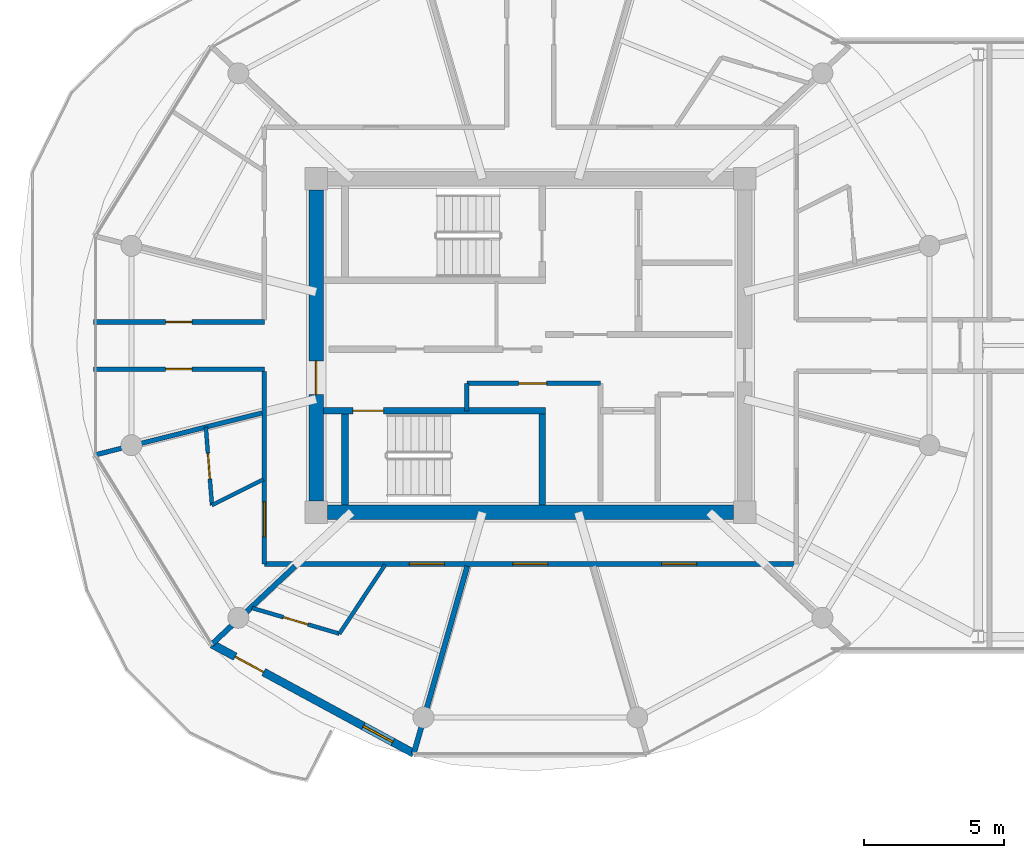
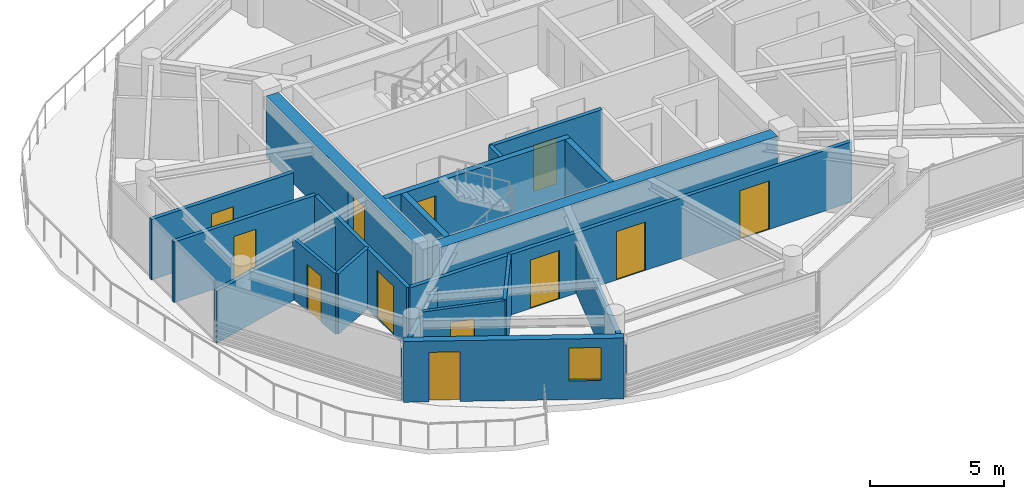
# One storey, part 14 of 24: 19 walls, 12 doors, 1 window, 13 openings.
"""IFC4 building model written with IfcOpenShell, lengths in metres."""

from ifc_helpers import new_model, si_unit, direction, frame, frame_2d, origin, place, context, subcontext, project, spatial, rectangle, extrude, source, transform, mapped, material, layer, layer_set, type_object, type_shapes, element, fill, save


model = new_model("IFC4")

# Units and contexts
model_context = context("Model", 3, precision=1e-05, world=origin(), true_north=direction((0.0, 1.0)))
body_context = subcontext(model_context, "Body", "Model", "MODEL_VIEW")
ifc_project = project(units=[si_unit("LENGTHUNIT", "METRE"), si_unit("AREAUNIT", "SQUARE_METRE"), si_unit("VOLUMEUNIT", "CUBIC_METRE"), si_unit("PLANEANGLEUNIT", "RADIAN"), si_unit("MASSUNIT", "GRAM", prefix="KILO")], contexts=[model_context])

# Site, building, storey
site_placement = place(None, origin())
site = spatial("IfcSite", under=ifc_project, at=site_placement, CompositionType="ELEMENT")
building_placement = place(site_placement, origin())
building = spatial("IfcBuilding", under=site, at=building_placement, Name="Norrkilde Senior Care Towers", CompositionType="ELEMENT")
storey_placement = place(building_placement, frame((0.0, 0.0, 213.89990234375)))
storey = spatial("IfcBuildingStorey", under=building, at=storey_placement, Name="L66", CompositionType="ELEMENT", Elevation=213.89990234375)

# Wall
ifc_material_1 = material(Name="Concrete C50/60", Category="concrete")
ifc_layer_1 = layer(ifc_material_1, 0.52001953125)
ifc_layer_set_1 = layer_set([ifc_layer_1], Name="Concrete C50/60")
wall_type_1 = type_object("IfcWallType", Name="Core Shear Wall Z4 520", PredefinedType="SHEAR", material=ifc_layer_set_1)
shared_shape_1 = source(origin(), body_context, "Body", "SweptSolid", [
    extrude(rectangle(XDim=14.5, YDim=0.52001953125, at=frame_2d((7.25, 0.0))), origin(), (0.0, 0.0, 1.0), 2.760009765625),
])
wall_1_placement = place(storey_placement, frame((-20.75, -5.949951171875, 0.0), z_axis=(0.0, 0.0, 1.0), x_axis=(-1.0, 0.0, 0.0)))
element("IfcWall", 1, at=wall_1_placement, inside=storey, type_object=wall_type_1, Name="L66 Core W South Shear Wall", PredefinedType="SHEAR", context=body_context, shape_type="MappedRepresentation", body=[
    mapped(shared_shape_1, transform((0.0, 0.0, 0.0), x_axis=(1.0, 0.0, 0.0), y_axis=(0.0, 1.0, 0.0), z_axis=(0.0, 0.0, 1.0), scale=1.0)),
])

# Wall, opening, door
shared_shape_2 = source(origin(), body_context, "Body", "SweptSolid", [
    extrude(rectangle(XDim=11.10009765625, YDim=0.52001953125, at=frame_2d((5.550048828125, 0.0))), origin(), (0.0, 0.0, 1.0), 2.760009765625),
])
type_shapes(wall_type_1, [shared_shape_1, shared_shape_2])
wall_2_placement = place(storey_placement, frame((-35.64990234375, -5.550048828125, 0.0), z_axis=(0.0, 0.0, 1.0), x_axis=(0.0, 1.0, 0.0)))
wall_2 = element("IfcWall", 2, at=wall_2_placement, inside=storey, type_object=wall_type_1, Name="L66 Core W West Shear Wall", PredefinedType="SHEAR", context=body_context, shape_type="MappedRepresentation", body=[
    mapped(shared_shape_2, transform((0.0, 0.0, 0.0), x_axis=(1.0, 0.0, 0.0), y_axis=(0.0, 1.0, 0.0), z_axis=(0.0, 0.0, 1.0), scale=1.0)),
])
opening_1_placement = place(wall_2_placement, frame((3.800048828125, 0.0, 0.0)))
opening_1 = element("IfcOpeningElement", 3, at=opening_1_placement, cuts=wall_2, Name="Opening D-04", PredefinedType="OPENING", context=body_context, shape_type="SweptSolid", body=[
    extrude(rectangle(XDim=1.199951171875, YDim=2.14990234375, at=frame_2d((0.60009765625, 1.074951171875))), frame((0.0, 0.27001953125, 0.0), z_axis=(0.0, -1.0, 0.0), x_axis=(1.0, 0.0, 0.0)), (0.0, 0.0, 1.0), 0.5400390625),
])
ifc_material_2 = material(Name="Galvanised Painted Steel", Category="steel")
door_type_1 = type_object("IfcDoorType", Name="Firefighting Lobby Fire Door 1200x2150", OperationType="NOTDEFINED", PredefinedType="DOOR", material=ifc_material_2)
shared_shape_3 = source(origin(), body_context, "Body", "SweptSolid", [
    extrude(rectangle(XDim=1.199951171875, YDim=2.14990234375, at=frame_2d((0.60009765625, 1.074951171875))), frame((0.0, 0.02490234375, 0.0), z_axis=(0.0, -1.0, 0.0), x_axis=(1.0, 0.0, 0.0)), (0.0, 0.0, 1.0), 0.050048828125),
])
type_shapes(door_type_1, [shared_shape_3])
door_1_placement = place(opening_1_placement, frame((1.199951171875, 0.0, 0.0), z_axis=(0.0, 0.0, 1.0), x_axis=(-1.0, 0.0, 0.0)))
door_1 = element("IfcDoor", 4, at=door_1_placement, inside=storey, type_object=door_type_1, Name="L66 Core W West Portal Door", OperationType="SINGLE_SWING_LEFT", OverallHeight=2.14990234375, OverallWidth=1.199951171875, PredefinedType="DOOR", context=body_context, shape_type="MappedRepresentation", body=[
    mapped(shared_shape_3, transform((0.0, 0.0, 0.0), x_axis=(1.0, 0.0, 0.0), y_axis=(0.0, 1.0, 0.0), z_axis=(0.0, 0.0, 1.0), scale=1.0)),
])
fill(opening_1, door_1)

# Wall, openings, door, window
ifc_material_3 = material(Name="Precast concrete C45/55", Category="concrete")
ifc_layer_2 = layer(ifc_material_3, 0.2900390625)
ifc_layer_set_2 = layer_set([ifc_layer_2], Name="Precast concrete C45/55")
wall_type_2 = type_object("IfcWallType", Name="Winter Garden Facade Wall 290", PredefinedType="SOLIDWALL", material=ifc_layer_set_2)
shared_shape_4 = source(origin(), body_context, "Body", "SweptSolid", [
    extrude(rectangle(XDim=8.197265625, YDim=0.2900390625, at=frame_2d((4.0986328125, 0.0))), origin(), (0.0, 0.0, 1.0), 2.760009765625),
])
type_shapes(wall_type_2, [shared_shape_4])
wall_3_placement = place(storey_placement, frame((-32.161865234375, -14.566162109375, 0.0), z_axis=(0.0, 0.0, 1.0), x_axis=(-0.879369910001, 0.476139224791, 0.0)))
wall_3 = element("IfcWall", 5, at=wall_3_placement, inside=storey, type_object=wall_type_2, Name="L66 Drum W Balcony Access Wall 07", PredefinedType="SOLIDWALL", context=body_context, shape_type="MappedRepresentation", body=[
    mapped(shared_shape_4, transform((0.0, 0.0, 0.0), x_axis=(1.0, 0.0, 0.0), y_axis=(0.0, 1.0, 0.0), z_axis=(0.0, 0.0, 1.0), scale=1.0)),
])
opening_2_placement = place(wall_3_placement, frame((6.10009765625, 0.0, 0.0)))
opening_2 = element("IfcOpeningElement", 6, at=opening_2_placement, cuts=wall_3, Name="Opening D-09", PredefinedType="OPENING", context=body_context, shape_type="SweptSolid", body=[
    extrude(rectangle(XDim=1.14990234375, YDim=2.25, at=frame_2d((0.574951171875, 1.125))), frame((0.0, 0.155029296875, 0.0), z_axis=(0.0, -1.0, 0.0), x_axis=(1.0, 0.0, 0.0)), (0.0, 0.0, 1.0), 0.31005859375),
])
opening_3_placement = place(wall_3_placement, frame((0.85009765625, 0.0, 0.85009765625)))
opening_3 = element("IfcOpeningElement", 7, at=opening_3_placement, cuts=wall_3, Name="Opening WN-07", PredefinedType="OPENING", context=body_context, shape_type="SweptSolid", body=[
    extrude(rectangle(XDim=1.199951171875, YDim=1.5, at=frame_2d((0.60009765625, 0.75))), frame((0.0, 0.155029296875, 0.0), z_axis=(0.0, -1.0, 0.0), x_axis=(1.0, 0.0, 0.0)), (0.0, 0.0, 1.0), 0.31005859375),
])
ifc_material_4 = material(Name="Anodised Aluminium", Category="aluminium")
door_type_2 = type_object("IfcDoorType", Name="Terrace and Balcony Glazed Door 1150x2250", OperationType="NOTDEFINED", PredefinedType="DOOR", material=ifc_material_4)
shared_shape_5 = source(origin(), body_context, "Body", "SweptSolid", [
    extrude(rectangle(XDim=1.14990234375, YDim=2.25, at=frame_2d((0.574951171875, 1.125))), frame((0.0, 0.02490234375, 0.0), z_axis=(0.0, -1.0, 0.0), x_axis=(1.0, 0.0, 0.0)), (0.0, 0.0, 1.0), 0.050048828125),
])
type_shapes(door_type_2, [shared_shape_5])
door_2_placement = place(opening_2_placement, origin())
door_2 = element("IfcDoor", 8, at=door_2_placement, inside=storey, type_object=door_type_2, Name="L66 Drum W Outdoor Terrace Door 07", OperationType="SINGLE_SWING_RIGHT", OverallHeight=2.25, OverallWidth=1.14990234375, PredefinedType="DOOR", context=body_context, shape_type="MappedRepresentation", body=[
    mapped(shared_shape_5, transform((0.0, 0.0, 0.0), x_axis=(1.0, 0.0, 0.0), y_axis=(0.0, 1.0, 0.0), z_axis=(0.0, 0.0, 1.0), scale=1.0)),
])
fill(opening_2, door_2)
ifc_material_5 = material(Name="Triple Low-E Insulated Glazing", Category="glass")
window_type = type_object("IfcWindowType", Name="Stairwell Smoke Vent Window 1200x1500", PartitioningType="SINGLE_PANEL", PredefinedType="WINDOW", material=ifc_material_5)
shared_shape_6 = source(origin(), body_context, "Body", "SweptSolid", [
    extrude(rectangle(XDim=1.199951171875, YDim=1.5, at=frame_2d((0.60009765625, 0.75))), frame((0.0, 0.030029296875, 0.0), z_axis=(0.0, -1.0, 0.0), x_axis=(1.0, 0.0, 0.0)), (0.0, 0.0, 1.0), 0.06005859375),
])
type_shapes(window_type, [shared_shape_6])
window_placement = place(opening_3_placement, origin())
window = element("IfcWindow", 9, at=window_placement, inside=storey, type_object=window_type, Name="L66 Drum W Winter Garden Window 07", OverallHeight=1.5, OverallWidth=1.199951171875, PartitioningType="SINGLE_PANEL", PredefinedType="WINDOW", context=body_context, shape_type="MappedRepresentation", body=[
    mapped(shared_shape_6, transform((0.0, 0.0, 0.0), x_axis=(1.0, 0.0, 0.0), y_axis=(0.0, 1.0, 0.0), z_axis=(0.0, 0.0, 1.0), scale=1.0)),
])
fill(opening_3, window)

# Wall, opening, door
ifc_material_6 = material(Name="Concrete C45/55", Category="concrete")
ifc_layer_3 = layer(ifc_material_6, 0.239990234375)
ifc_layer_set_3 = layer_set([ifc_layer_3], Name="Concrete C45/55")
wall_type_3 = type_object("IfcWallType", Name="Shaft and Stair Enclosure Wall 240", PredefinedType="PARTITIONING", material=ifc_layer_set_3)
shared_shape_7 = source(origin(), body_context, "Body", "SweptSolid", [
    extrude(rectangle(XDim=7.929931640625, YDim=0.239990234375, at=frame_2d((3.96484375, 0.0))), origin(), (0.0, 0.0, 1.0), 2.760009765625),
])
wall_4_placement = place(storey_placement, frame((-35.389892578125, -2.330078125, 0.0), z_axis=(0.0, 0.0, 1.0), x_axis=(1.0, 0.0, 0.0)))
wall_4 = element("IfcWall", 10, at=wall_4_placement, inside=storey, type_object=wall_type_3, Name="WL-INT-L66-W-ST2N", PredefinedType="PARTITIONING", context=body_context, shape_type="MappedRepresentation", body=[
    mapped(shared_shape_7, transform((0.0, 0.0, 0.0), x_axis=(1.0, 0.0, 0.0), y_axis=(0.0, 1.0, 0.0), z_axis=(0.0, 0.0, 1.0), scale=1.0)),
])
opening_4_placement = place(wall_4_placement, frame((1.050048828125, 0.0, 0.0)))
opening_4 = element("IfcOpeningElement", 11, at=opening_4_placement, cuts=wall_4, Name="Opening D-03", PredefinedType="OPENING", context=body_context, shape_type="SweptSolid", body=[
    extrude(rectangle(XDim=1.10009765625, YDim=2.14990234375, at=frame_2d((0.550048828125, 1.074951171875))), frame((0.0, 0.1298828125, 0.0), z_axis=(0.0, -1.0, 0.0), x_axis=(1.0, 0.0, 0.0)), (0.0, 0.0, 1.0), 0.260009765625),
])
door_type_3 = type_object("IfcDoorType", Name="Stairwell Protected Fire Door 1100x2150", OperationType="NOTDEFINED", PredefinedType="DOOR", material=ifc_material_2)
shared_shape_8 = source(origin(), body_context, "Body", "SweptSolid", [
    extrude(rectangle(XDim=1.10009765625, YDim=2.14990234375, at=frame_2d((0.550048828125, 1.074951171875))), frame((0.0, 0.02490234375, 0.0), z_axis=(0.0, -1.0, 0.0), x_axis=(1.0, 0.0, 0.0)), (0.0, 0.0, 1.0), 0.050048828125),
])
type_shapes(door_type_3, [shared_shape_8])
door_3_placement = place(opening_4_placement, frame((1.10009765625, 0.0, 0.0), z_axis=(0.0, 0.0, 1.0), x_axis=(-1.0, 0.0, 0.0)))
door_3 = element("IfcDoor", 12, at=door_3_placement, inside=storey, type_object=door_type_3, Name="L66 Stair W2 Fire Door", OperationType="SINGLE_SWING_RIGHT", OverallHeight=2.14990234375, OverallWidth=1.10009765625, PredefinedType="DOOR", context=body_context, shape_type="MappedRepresentation", body=[
    mapped(shared_shape_8, transform((0.0, 0.0, 0.0), x_axis=(1.0, 0.0, 0.0), y_axis=(0.0, 1.0, 0.0), z_axis=(0.0, 0.0, 1.0), scale=1.0)),
])
fill(opening_4, door_3)

# Walls
shared_shape_9 = source(origin(), body_context, "Body", "SweptSolid", [
    extrude(rectangle(XDim=3.239990234375, YDim=0.239990234375, at=frame_2d((1.6201171875, 0.0))), origin(), (0.0, 0.0, 1.0), 2.760009765625),
])
type_shapes(wall_type_3, [shared_shape_7, shared_shape_9])
for number, where, z_axis, x_axis, name in (
    (13, (-34.6201171875, -5.68994140625, 0.0), (0.0, 0.0, 1.0), (0.0, 1.0, 0.0), "WL-INT-L66-W-ST2W"),
    (14, (-27.580078125, -5.68994140625, 0.0), (0.0, 0.0, 1.0), (0.0, 1.0, 0.0), "WL-INT-L66-W-ST2E"),
):
    element("IfcWall", number, at=place(storey_placement, frame(where, z_axis=z_axis, x_axis=x_axis)), inside=storey, type_object=wall_type_3, Name=name, PredefinedType="PARTITIONING", context=body_context, shape_type="MappedRepresentation", body=[
        mapped(shared_shape_9, transform((0.0, 0.0, 0.0), x_axis=(1.0, 0.0, 0.0), y_axis=(0.0, 1.0, 0.0), z_axis=(0.0, 0.0, 1.0), scale=1.0)),
    ])

# Wall, opening, door
ifc_material_7 = material(Name="Gypsum Acoustic Board")
ifc_layer_4 = layer(ifc_material_7, 0.1650390625)
ifc_layer_set_4 = layer_set([ifc_layer_4], Name="Gypsum Acoustic Board")
wall_type_4 = type_object("IfcWallType", Name="Corridor Rated Partition 165", PredefinedType="PARTITIONING", material=ifc_layer_set_4)
shared_shape_10 = source(origin(), body_context, "Body", "SweptSolid", [
    extrude(rectangle(XDim=4.77001953125, YDim=0.1650390625, at=frame_2d((2.385009765625, 0.0))), origin(), (0.0, 0.0, 1.0), 2.7451171875),
])
wall_5_placement = place(storey_placement, frame((-30.27001953125, -1.35009765625, 0.0), z_axis=(0.0, 0.0, 1.0), x_axis=(1.0, 0.0, 0.0)))
wall_5 = element("IfcWall", 15, at=wall_5_placement, inside=storey, type_object=wall_type_4, Name="WL-INT-L66-W-FR2N", PredefinedType="PARTITIONING", context=body_context, shape_type="MappedRepresentation", body=[
    mapped(shared_shape_10, transform((0.0, 0.0, 0.0), x_axis=(1.0, 0.0, 0.0), y_axis=(0.0, 1.0, 0.0), z_axis=(0.0, 0.0, 1.0), scale=1.0)),
])
opening_5_placement = place(wall_5_placement, frame((1.85009765625, 0.0, 0.0)))
opening_5 = element("IfcOpeningElement", 16, at=opening_5_placement, cuts=wall_5, Name="Opening D-10", PredefinedType="OPENING", context=body_context, shape_type="SweptSolid", body=[
    extrude(rectangle(XDim=1.0, YDim=2.10009765625, at=frame_2d((0.5, 1.050048828125))), frame((0.0, 0.092529296875, 0.0), z_axis=(0.0, -1.0, 0.0), x_axis=(1.0, 0.0, 0.0)), (0.0, 0.0, 1.0), 0.18505859375),
])
door_type_4 = type_object("IfcDoorType", Name="Plant and Riser Rated Door 1000x2100", OperationType="NOTDEFINED", PredefinedType="DOOR", material=ifc_material_2)
shared_shape_11 = source(origin(), body_context, "Body", "SweptSolid", [
    extrude(rectangle(XDim=1.0, YDim=2.10009765625, at=frame_2d((0.5, 1.050048828125))), frame((0.0, 0.02490234375, 0.0), z_axis=(0.0, -1.0, 0.0), x_axis=(1.0, 0.0, 0.0)), (0.0, 0.0, 1.0), 0.050048828125),
])
type_shapes(door_type_4, [shared_shape_11])
door_4_placement = place(opening_5_placement, origin())
door_4 = element("IfcDoor", 17, at=door_4_placement, inside=storey, type_object=door_type_4, Name="L66 Core Pantry W Door", OperationType="SINGLE_SWING_RIGHT", OverallHeight=2.10009765625, OverallWidth=1.0, PredefinedType="DOOR", context=body_context, shape_type="MappedRepresentation", body=[
    mapped(shared_shape_11, transform((0.0, 0.0, 0.0), x_axis=(1.0, 0.0, 0.0), y_axis=(0.0, 1.0, 0.0), z_axis=(0.0, 0.0, 1.0), scale=1.0)),
])
fill(opening_5, door_4)

# Wall
shared_shape_12 = source(origin(), body_context, "Body", "SweptSolid", [
    extrude(rectangle(XDim=0.97998046875, YDim=0.1650390625, at=frame_2d((0.489990234375, 0.0))), origin(), (0.0, 0.0, 1.0), 2.7451171875),
])
wall_6_placement = place(storey_placement, frame((-30.27001953125, -2.330078125, 0.0), z_axis=(0.0, 0.0, 1.0), x_axis=(0.0, 1.0, 0.0)))
element("IfcWall", 18, at=wall_6_placement, inside=storey, type_object=wall_type_4, Name="WL-INT-L66-W-FR2W", PredefinedType="PARTITIONING", context=body_context, shape_type="MappedRepresentation", body=[
    mapped(shared_shape_12, transform((0.0, 0.0, 0.0), x_axis=(1.0, 0.0, 0.0), y_axis=(0.0, 1.0, 0.0), z_axis=(0.0, 0.0, 1.0), scale=1.0)),
])

# Wall, openings, doors
shared_shape_13 = source(origin(), body_context, "Body", "SweptSolid", [
    extrude(rectangle(XDim=19.0, YDim=0.1650390625, at=frame_2d((9.5, 0.0))), origin(), (0.0, 0.0, 1.0), 2.7451171875),
])
wall_7_placement = place(storey_placement, frame((-18.5, -7.800048828125, 0.0), z_axis=(0.0, 0.0, 1.0), x_axis=(-1.0, 0.0, 0.0)))
wall_7 = element("IfcWall", 19, at=wall_7_placement, inside=storey, type_object=wall_type_4, Name="WL-INT-L66-W-CRW-S-0", PredefinedType="PARTITIONING", context=body_context, shape_type="MappedRepresentation", body=[
    mapped(shared_shape_13, transform((0.0, 0.0, 0.0), x_axis=(1.0, 0.0, 0.0), y_axis=(0.0, 1.0, 0.0), z_axis=(0.0, 0.0, 1.0), scale=1.0)),
])
opening_6_placement = place(wall_7_placement, frame((12.56884765625, 0.0, 0.0)))
opening_6 = element("IfcOpeningElement", 20, at=opening_6_placement, cuts=wall_7, Name="Opening D-05", PredefinedType="OPENING", context=body_context, shape_type="SweptSolid", body=[
    extrude(rectangle(XDim=1.25, YDim=2.199951171875, at=frame_2d((0.625, 1.10009765625))), frame((0.0, 0.092529296875, 0.0), z_axis=(0.0, -1.0, 0.0), x_axis=(1.0, 0.0, 0.0)), (0.0, 0.0, 1.0), 0.18505859375),
])
opening_7_placement = place(wall_7_placement, frame((8.875, 0.0, 0.0)))
opening_7 = element("IfcOpeningElement", 21, at=opening_7_placement, cuts=wall_7, Name="Opening D-05", PredefinedType="OPENING", context=body_context, shape_type="SweptSolid", body=[
    extrude(rectangle(XDim=1.25, YDim=2.199951171875, at=frame_2d((0.625, 1.10009765625))), frame((0.0, 0.092529296875, 0.0), z_axis=(0.0, -1.0, 0.0), x_axis=(1.0, 0.0, 0.0)), (0.0, 0.0, 1.0), 0.18505859375),
])
opening_8_placement = place(wall_7_placement, frame((3.55859375, 0.0, 0.0)))
opening_8 = element("IfcOpeningElement", 22, at=opening_8_placement, cuts=wall_7, Name="Opening D-05", PredefinedType="OPENING", context=body_context, shape_type="SweptSolid", body=[
    extrude(rectangle(XDim=1.25, YDim=2.199951171875, at=frame_2d((0.625, 1.10009765625))), frame((0.0, 0.092529296875, 0.0), z_axis=(0.0, -1.0, 0.0), x_axis=(1.0, 0.0, 0.0)), (0.0, 0.0, 1.0), 0.18505859375),
])
ifc_material_8 = material(Name="Nordic Ash Timber", Category="wood")
door_type_5 = type_object("IfcDoorType", Name="Care Bedroom Bariatric Door 1250x2200", OperationType="NOTDEFINED", PredefinedType="DOOR", material=ifc_material_8)
shared_shape_14 = source(origin(), body_context, "Body", "SweptSolid", [
    extrude(rectangle(XDim=1.25, YDim=2.199951171875, at=frame_2d((0.625, 1.10009765625))), frame((0.0, 0.02490234375, 0.0), z_axis=(0.0, -1.0, 0.0), x_axis=(1.0, 0.0, 0.0)), (0.0, 0.0, 1.0), 0.050048828125),
])
type_shapes(door_type_5, [shared_shape_14])
door_5_placement = place(opening_6_placement, frame((1.25, 0.0, 0.0), z_axis=(0.0, 0.0, 1.0), x_axis=(-1.0, 0.0, 0.0)))
door_5 = element("IfcDoor", 23, at=door_5_placement, inside=storey, type_object=door_type_5, Name="L66 Care Suite 6607 Entrance Door", OperationType="SINGLE_SWING_RIGHT", OverallHeight=2.199951171875, OverallWidth=1.25, PredefinedType="DOOR", context=body_context, shape_type="MappedRepresentation", body=[
    mapped(shared_shape_14, transform((0.0, 0.0, 0.0), x_axis=(1.0, 0.0, 0.0), y_axis=(0.0, 1.0, 0.0), z_axis=(0.0, 0.0, 1.0), scale=1.0)),
])
fill(opening_6, door_5)
door_6_placement = place(opening_7_placement, frame((1.25, 0.0, 0.0), z_axis=(0.0, 0.0, 1.0), x_axis=(-1.0, 0.0, 0.0)))
door_6 = element("IfcDoor", 24, at=door_6_placement, inside=storey, type_object=door_type_5, Name="L66 Resident Therapeutic Day Lounge Door", OperationType="SINGLE_SWING_LEFT", OverallHeight=2.199951171875, OverallWidth=1.25, PredefinedType="DOOR", context=body_context, shape_type="MappedRepresentation", body=[
    mapped(shared_shape_14, transform((0.0, 0.0, 0.0), x_axis=(1.0, 0.0, 0.0), y_axis=(0.0, 1.0, 0.0), z_axis=(0.0, 0.0, 1.0), scale=1.0)),
])
fill(opening_7, door_6)
door_7_placement = place(opening_8_placement, frame((1.25, 0.0, 0.0), z_axis=(0.0, 0.0, 1.0), x_axis=(-1.0, 0.0, 0.0)))
door_7 = element("IfcDoor", 25, at=door_7_placement, inside=storey, type_object=door_type_5, Name="L66 Household Therapeutic Kitchen Door", OperationType="SINGLE_SWING_RIGHT", OverallHeight=2.199951171875, OverallWidth=1.25, PredefinedType="DOOR", context=body_context, shape_type="MappedRepresentation", body=[
    mapped(shared_shape_14, transform((0.0, 0.0, 0.0), x_axis=(1.0, 0.0, 0.0), y_axis=(0.0, 1.0, 0.0), z_axis=(0.0, 0.0, 1.0), scale=1.0)),
])
fill(opening_8, door_7)

# Wall, opening, door
shared_shape_15 = source(origin(), body_context, "Body", "SweptSolid", [
    extrude(rectangle(XDim=6.880126953125, YDim=0.1650390625, at=frame_2d((3.43994140625, 0.0))), origin(), (0.0, 0.0, 1.0), 2.7451171875),
])
wall_8_placement = place(storey_placement, frame((-37.5, -7.800048828125, 0.0), z_axis=(0.0, 0.0, 1.0), x_axis=(0.0, 1.0, 0.0)))
wall_8 = element("IfcWall", 26, at=wall_8_placement, inside=storey, type_object=wall_type_4, Name="WL-INT-L66-W-CRW-W-0", PredefinedType="PARTITIONING", context=body_context, shape_type="MappedRepresentation", body=[
    mapped(shared_shape_15, transform((0.0, 0.0, 0.0), x_axis=(1.0, 0.0, 0.0), y_axis=(0.0, 1.0, 0.0), z_axis=(0.0, 0.0, 1.0), scale=1.0)),
])
opening_9_placement = place(wall_8_placement, frame((0.96826171875, 0.0, 0.0)))
opening_9 = element("IfcOpeningElement", 27, at=opening_9_placement, cuts=wall_8, Name="Opening D-05", PredefinedType="OPENING", context=body_context, shape_type="SweptSolid", body=[
    extrude(rectangle(XDim=1.25, YDim=2.199951171875, at=frame_2d((0.625, 1.10009765625))), frame((0.0, 0.092529296875, 0.0), z_axis=(0.0, -1.0, 0.0), x_axis=(1.0, 0.0, 0.0)), (0.0, 0.0, 1.0), 0.18505859375),
])
door_8_placement = place(opening_9_placement, frame((1.25, 0.0, 0.0), z_axis=(0.0, 0.0, 1.0), x_axis=(-1.0, 0.0, 0.0)))
door_8 = element("IfcDoor", 28, at=door_8_placement, inside=storey, type_object=door_type_5, Name="L66 Care Suite 6606 Entrance Door", OperationType="SINGLE_SWING_LEFT", OverallHeight=2.199951171875, OverallWidth=1.25, PredefinedType="DOOR", context=body_context, shape_type="MappedRepresentation", body=[
    mapped(shared_shape_14, transform((0.0, 0.0, 0.0), x_axis=(1.0, 0.0, 0.0), y_axis=(0.0, 1.0, 0.0), z_axis=(0.0, 0.0, 1.0), scale=1.0)),
])
fill(opening_9, door_8)

shared_shape_16 = source(origin(), body_context, "Body", "SweptSolid", [
    extrude(rectangle(XDim=6.101318359375, YDim=0.1650390625, at=frame_2d((3.05078125, 0.0))), origin(), (0.0, 0.0, 1.0), 2.7451171875),
])
wall_9_placement = place(storey_placement, frame((-43.601318359375, 0.840087890625, 0.0), z_axis=(0.0, 0.0, 1.0), x_axis=(1.0, 0.0, 0.0)))
wall_9 = element("IfcWall", 29, at=wall_9_placement, inside=storey, type_object=wall_type_4, Name="WL-INT-L66-W-SPK-W1-0", PredefinedType="PARTITIONING", context=body_context, shape_type="MappedRepresentation", body=[
    mapped(shared_shape_16, transform((0.0, 0.0, 0.0), x_axis=(1.0, 0.0, 0.0), y_axis=(0.0, 1.0, 0.0), z_axis=(0.0, 0.0, 1.0), scale=1.0)),
])
opening_10_placement = place(wall_9_placement, frame((2.57568359375, 0.0, 0.0)))
opening_10 = element("IfcOpeningElement", 30, at=opening_10_placement, cuts=wall_9, Name="Opening D-07", PredefinedType="OPENING", context=body_context, shape_type="SweptSolid", body=[
    extrude(rectangle(XDim=0.949951171875, YDim=2.10009765625, at=frame_2d((0.47509765625, 1.050048828125))), frame((0.0, 0.092529296875, 0.0), z_axis=(0.0, -1.0, 0.0), x_axis=(1.0, 0.0, 0.0)), (0.0, 0.0, 1.0), 0.18505859375),
])
door_type_6 = type_object("IfcDoorType", Name="Internal Suite Bedroom Door 950x2100", OperationType="NOTDEFINED", PredefinedType="DOOR", material=ifc_material_8)
shared_shape_17 = source(origin(), body_context, "Body", "SweptSolid", [
    extrude(rectangle(XDim=0.949951171875, YDim=2.10009765625, at=frame_2d((0.47509765625, 1.050048828125))), frame((0.0, 0.02490234375, 0.0), z_axis=(0.0, -1.0, 0.0), x_axis=(1.0, 0.0, 0.0)), (0.0, 0.0, 1.0), 0.050048828125),
])
type_shapes(door_type_6, [shared_shape_17])
door_9_placement = place(opening_10_placement, frame((0.949951171875, 0.0, 0.0), z_axis=(0.0, 0.0, 1.0), x_axis=(-1.0, 0.0, 0.0)))
door_9 = element("IfcDoor", 31, at=door_9_placement, inside=storey, type_object=door_type_6, Name="L66 Sun Reading Lounge 2 Door", OperationType="SINGLE_SWING_LEFT", OverallHeight=2.10009765625, OverallWidth=0.949951171875, PredefinedType="DOOR", context=body_context, shape_type="MappedRepresentation", body=[
    mapped(shared_shape_17, transform((0.0, 0.0, 0.0), x_axis=(1.0, 0.0, 0.0), y_axis=(0.0, 1.0, 0.0), z_axis=(0.0, 0.0, 1.0), scale=1.0)),
])
fill(opening_10, door_9)

wall_10_placement = place(storey_placement, frame((-37.5, -0.840087890625, 0.0), z_axis=(0.0, 0.0, 1.0), x_axis=(-1.0, 0.0, 0.0)))
wall_10 = element("IfcWall", 32, at=wall_10_placement, inside=storey, type_object=wall_type_4, Name="WL-INT-L66-W-SPK-W2-0", PredefinedType="PARTITIONING", context=body_context, shape_type="MappedRepresentation", body=[
    mapped(shared_shape_16, transform((0.0, 0.0, 0.0), x_axis=(1.0, 0.0, 0.0), y_axis=(0.0, 1.0, 0.0), z_axis=(0.0, 0.0, 1.0), scale=1.0)),
])
opening_11_placement = place(wall_10_placement, frame((2.57568359375, 0.0, 0.0)))
opening_11 = element("IfcOpeningElement", 33, at=opening_11_placement, cuts=wall_10, Name="Opening D-07", PredefinedType="OPENING", context=body_context, shape_type="SweptSolid", body=[
    extrude(rectangle(XDim=0.949951171875, YDim=2.10009765625, at=frame_2d((0.47509765625, 1.050048828125))), frame((0.0, 0.092529296875, 0.0), z_axis=(0.0, -1.0, 0.0), x_axis=(1.0, 0.0, 0.0)), (0.0, 0.0, 1.0), 0.18505859375),
])
door_10_placement = place(opening_11_placement, frame((0.949951171875, 0.0, 0.0), z_axis=(0.0, 0.0, 1.0), x_axis=(-1.0, 0.0, 0.0)))
door_10 = element("IfcDoor", 34, at=door_10_placement, inside=storey, type_object=door_type_6, Name="L66 Sun Reading Lounge 1 Door", OperationType="SINGLE_SWING_RIGHT", OverallHeight=2.10009765625, OverallWidth=0.949951171875, PredefinedType="DOOR", context=body_context, shape_type="MappedRepresentation", body=[
    mapped(shared_shape_17, transform((0.0, 0.0, 0.0), x_axis=(1.0, 0.0, 0.0), y_axis=(0.0, 1.0, 0.0), z_axis=(0.0, 0.0, 1.0), scale=1.0)),
])
fill(opening_11, door_10)

# Wall
ifc_layer_5 = layer(ifc_material_7, 0.139892578125)
ifc_layer_set_5 = layer_set([ifc_layer_5], Name="Gypsum Acoustic Board")
wall_type_5 = type_object("IfcWallType", Name="En-suite Wet Room Wall 140", PredefinedType="PARTITIONING", material=ifc_layer_set_5)
shared_shape_18 = source(origin(), body_context, "Body", "SweptSolid", [
    extrude(rectangle(XDim=2.059814453125, YDim=0.139892578125, at=frame_2d((1.02978515625, 0.0))), origin(), (0.0, 0.0, 1.0), 2.7451171875),
])
wall_11_placement = place(storey_placement, frame((-37.530029296875, -4.7783203125, 0.0), z_axis=(0.0, 0.0, 1.0), x_axis=(-0.893952568722, -0.448161583444, 0.0)))
element("IfcWall", 35, at=wall_11_placement, inside=storey, type_object=wall_type_5, Name="WL-INT-L66-W-ES-06", PredefinedType="PARTITIONING", context=body_context, shape_type="MappedRepresentation", body=[
    mapped(shared_shape_18, transform((0.0, 0.0, 0.0), x_axis=(1.0, 0.0, 0.0), y_axis=(0.0, 1.0, 0.0), z_axis=(0.0, 0.0, 1.0), scale=1.0)),
])

# Wall, opening, door
shared_shape_19 = source(origin(), body_context, "Body", "SweptSolid", [
    extrude(rectangle(XDim=2.79833984375, YDim=0.139892578125, at=frame_2d((1.399169921875, 0.0))), origin(), (0.0, 0.0, 1.0), 2.7451171875),
])
wall_12_placement = place(storey_placement, frame((-39.371337890625, -5.701416015625, 0.0), z_axis=(0.0, 0.0, 1.0), x_axis=(-0.077823984089, 0.996967114553, 0.0)))
wall_12 = element("IfcWall", 36, at=wall_12_placement, inside=storey, type_object=wall_type_5, Name="WL-INT-L66-W-EF-06", PredefinedType="PARTITIONING", context=body_context, shape_type="MappedRepresentation", body=[
    mapped(shared_shape_19, transform((0.0, 0.0, 0.0), x_axis=(1.0, 0.0, 0.0), y_axis=(0.0, 1.0, 0.0), z_axis=(0.0, 0.0, 1.0), scale=1.0)),
])
opening_12_placement = place(wall_12_placement, frame((0.939208984375, 0.0, 0.0)))
opening_12 = element("IfcOpeningElement", 37, at=opening_12_placement, cuts=wall_12, Name="Opening D-08", PredefinedType="OPENING", context=body_context, shape_type="SweptSolid", body=[
    extrude(rectangle(XDim=0.919921875, YDim=2.10009765625, at=frame_2d((0.4599609375, 1.050048828125))), frame((0.0, 0.079833984375, 0.0), z_axis=(0.0, -1.0, 0.0), x_axis=(1.0, 0.0, 0.0)), (0.0, 0.0, 1.0), 0.159912109375),
])
door_type_7 = type_object("IfcDoorType", Name="Accessible Wet Room Door 920x2100", OperationType="NOTDEFINED", PredefinedType="DOOR", material=ifc_material_8)
shared_shape_20 = source(origin(), body_context, "Body", "SweptSolid", [
    extrude(rectangle(XDim=0.919921875, YDim=2.10009765625, at=frame_2d((0.4599609375, 1.050048828125))), frame((0.0, 0.02490234375, 0.0), z_axis=(0.0, -1.0, 0.0), x_axis=(1.0, 0.0, 0.0)), (0.0, 0.0, 1.0), 0.050048828125),
])
type_shapes(door_type_7, [shared_shape_20])
door_11_placement = place(opening_12_placement, origin())
door_11 = element("IfcDoor", 38, at=door_11_placement, inside=storey, type_object=door_type_7, Name="L66 Care Suite 6606 Bathroom Door", OperationType="SINGLE_SWING_RIGHT", OverallHeight=2.10009765625, OverallWidth=0.919921875, PredefinedType="DOOR", context=body_context, shape_type="MappedRepresentation", body=[
    mapped(shared_shape_20, transform((0.0, 0.0, 0.0), x_axis=(1.0, 0.0, 0.0), y_axis=(0.0, 1.0, 0.0), z_axis=(0.0, 0.0, 1.0), scale=1.0)),
])
fill(opening_12, door_11)

# Wall
shared_shape_21 = source(origin(), body_context, "Body", "SweptSolid", [
    extrude(rectangle(XDim=2.95263671875, YDim=0.139892578125, at=frame_2d((1.476318359375, 0.0))), origin(), (0.0, 0.0, 1.0), 2.7451171875),
])
wall_13_placement = place(storey_placement, frame((-33.1884765625, -7.830078125, 0.0), z_axis=(0.0, 0.0, 1.0), x_axis=(-0.552427436518, -0.833560991999, 0.0)))
element("IfcWall", 39, at=wall_13_placement, inside=storey, type_object=wall_type_5, Name="WL-INT-L66-W-ES-07", PredefinedType="PARTITIONING", context=body_context, shape_type="MappedRepresentation", body=[
    mapped(shared_shape_21, transform((0.0, 0.0, 0.0), x_axis=(1.0, 0.0, 0.0), y_axis=(0.0, 1.0, 0.0), z_axis=(0.0, 0.0, 1.0), scale=1.0)),
])

# Wall, opening, door
shared_shape_22 = source(origin(), body_context, "Body", "SweptSolid", [
    extrude(rectangle(XDim=3.252197265625, YDim=0.139892578125, at=frame_2d((1.6259765625, 0.0))), origin(), (0.0, 0.0, 1.0), 2.7451171875),
])
type_shapes(wall_type_5, [shared_shape_18, shared_shape_19, shared_shape_21, shared_shape_22])
wall_14_placement = place(storey_placement, frame((-34.819580078125, -10.291259765625, 0.0), z_axis=(0.0, 0.0, 1.0), x_axis=(-0.959294945864, 0.282406102695, 0.0)))
wall_14 = element("IfcWall", 40, at=wall_14_placement, inside=storey, type_object=wall_type_5, Name="WL-INT-L66-W-EF-07", PredefinedType="PARTITIONING", context=body_context, shape_type="MappedRepresentation", body=[
    mapped(shared_shape_22, transform((0.0, 0.0, 0.0), x_axis=(1.0, 0.0, 0.0), y_axis=(0.0, 1.0, 0.0), z_axis=(0.0, 0.0, 1.0), scale=1.0)),
])
opening_13_placement = place(wall_14_placement, frame((1.166259765625, 0.0, 0.0)))
opening_13 = element("IfcOpeningElement", 41, at=opening_13_placement, cuts=wall_14, Name="Opening D-08", PredefinedType="OPENING", context=body_context, shape_type="SweptSolid", body=[
    extrude(rectangle(XDim=0.919921875, YDim=2.10009765625, at=frame_2d((0.4599609375, 1.050048828125))), frame((0.0, 0.079833984375, 0.0), z_axis=(0.0, -1.0, 0.0), x_axis=(1.0, 0.0, 0.0)), (0.0, 0.0, 1.0), 0.159912109375),
])
door_12_placement = place(opening_13_placement, origin())
door_12 = element("IfcDoor", 42, at=door_12_placement, inside=storey, type_object=door_type_7, Name="L66 Care Suite 6607 Bathroom Door", OperationType="SINGLE_SWING_LEFT", OverallHeight=2.10009765625, OverallWidth=0.919921875, PredefinedType="DOOR", context=body_context, shape_type="MappedRepresentation", body=[
    mapped(shared_shape_20, transform((0.0, 0.0, 0.0), x_axis=(1.0, 0.0, 0.0), y_axis=(0.0, 1.0, 0.0), z_axis=(0.0, 0.0, 1.0), scale=1.0)),
])
fill(opening_13, door_12)

# Walls
shared_shape_23 = source(origin(), body_context, "Body", "SweptSolid", [
    extrude(rectangle(XDim=6.1572265625, YDim=0.1650390625, at=frame_2d((3.07861328125, 0.0))), origin(), (0.0, 0.0, 1.0), 2.34521484375),
])
type_shapes(wall_type_4, [shared_shape_10, shared_shape_12, shared_shape_13, shared_shape_15, shared_shape_16, shared_shape_23])
wall_15_placement = place(storey_placement, frame((-37.580078125, -2.407470703125, 0.0), z_axis=(0.0, 0.0, 1.0), x_axis=(-0.969840867184, -0.243738984038, 0.0)))
element("IfcWall", 43, at=wall_15_placement, inside=storey, type_object=wall_type_4, Name="WL-INT-L66-W-DEM-06-0", PredefinedType="PARTITIONING", context=body_context, shape_type="MappedRepresentation", body=[
    mapped(shared_shape_23, transform((0.0, 0.0, 0.0), x_axis=(1.0, 0.0, 0.0), y_axis=(0.0, 1.0, 0.0), z_axis=(0.0, 0.0, 1.0), scale=1.0)),
])
ifc_layer_6 = layer(ifc_material_7, 0.18994140625)
ifc_layer_set_6 = layer_set([ifc_layer_6], Name="Gypsum Acoustic Board")
wall_type_6 = type_object("IfcWallType", Name="Unit Demising Acoustic Wall 190", PredefinedType="PARTITIONING", material=ifc_layer_set_6)
shared_shape_24 = source(origin(), body_context, "Body", "SweptSolid", [
    extrude(rectangle(XDim=4.089111328125, YDim=0.18994140625, at=frame_2d((2.04443359375, 0.0))), origin(), (0.0, 0.0, 1.0), 2.34521484375),
])
wall_16_placement = place(storey_placement, frame((-36.40185546875, -7.8798828125, 0.0), z_axis=(0.0, 0.0, 1.0), x_axis=(-0.729401273609, -0.684086092577, 0.0)))
element("IfcWall", 44, at=wall_16_placement, inside=storey, type_object=wall_type_6, Name="WL-INT-L66-W-DEM-07-0", PredefinedType="PARTITIONING", context=body_context, shape_type="MappedRepresentation", body=[
    mapped(shared_shape_24, transform((0.0, 0.0, 0.0), x_axis=(1.0, 0.0, 0.0), y_axis=(0.0, 1.0, 0.0), z_axis=(0.0, 0.0, 1.0), scale=1.0)),
])
shared_shape_25 = source(origin(), body_context, "Body", "SweptSolid", [
    extrude(rectangle(XDim=6.973876953125, YDim=0.18994140625, at=frame_2d((3.48681640625, 0.0))), origin(), (0.0, 0.0, 1.0), 2.34521484375),
])
type_shapes(wall_type_6, [shared_shape_24, shared_shape_25])
wall_17_placement = place(storey_placement, frame((-30.251220703125, -7.8798828125, 0.0), z_axis=(0.0, 0.0, 1.0), x_axis=(-0.274707256801, -0.961527910703, 0.0)))
element("IfcWall", 45, at=wall_17_placement, inside=storey, type_object=wall_type_6, Name="WL-INT-L66-W-DEM-08-0", PredefinedType="PARTITIONING", context=body_context, shape_type="MappedRepresentation", body=[
    mapped(shared_shape_25, transform((0.0, 0.0, 0.0), x_axis=(1.0, 0.0, 0.0), y_axis=(0.0, 1.0, 0.0), z_axis=(0.0, 0.0, 1.0), scale=1.0)),
])

save(model, "model.ifc")
